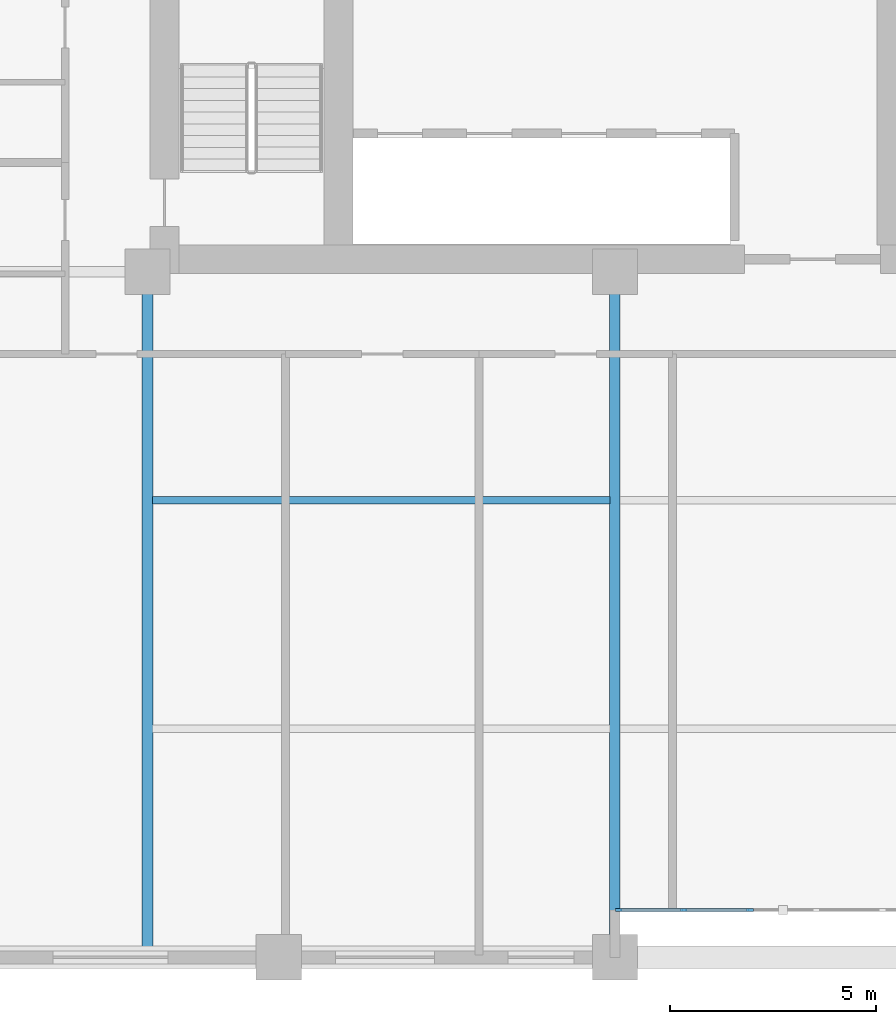
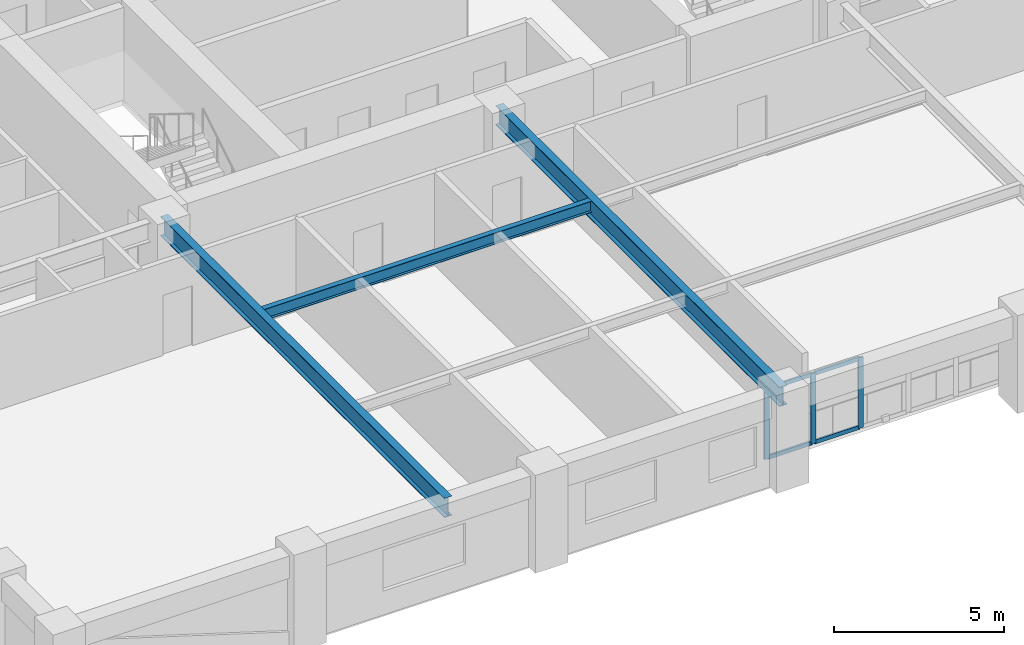
# One storey, part 2 of 13: 7 members, 3 beams, 1 element without a shape of its own.
"""IFC4 building model written with IfcOpenShell, lengths in metres."""

from ifc_helpers import new_model, si_unit, direction, frame, origin, origin_2d, place, context, subcontext, project, spatial, rectangle, i_section, extrude, material, layer, layer_set, material_profile, profile_set, type_object, element, aggregate, save


model = new_model("IFC4")

# Units and contexts
model_context = context("Model", 3, precision=1e-05, world=origin(), true_north=direction((0.0, 1.0)))
body_context = subcontext(model_context, "Body", "Model", "MODEL_VIEW")
ifc_project = project(units=[si_unit("LENGTHUNIT", "METRE"), si_unit("AREAUNIT", "SQUARE_METRE"), si_unit("VOLUMEUNIT", "CUBIC_METRE"), si_unit("PLANEANGLEUNIT", "RADIAN"), si_unit("MASSUNIT", "GRAM", prefix="KILO")], contexts=[model_context])

# Site, building, storey
site_placement = place(None, origin())
site = spatial("IfcSite", under=ifc_project, at=site_placement, CompositionType="ELEMENT")
building_placement = place(site_placement, origin())
building = spatial("IfcBuilding", under=site, at=building_placement, Name="Nhamokura Convention Tower", CompositionType="ELEMENT")
storey_placement = place(building_placement, frame((0.0, 0.0, 63.35009765625)))
storey = spatial("IfcBuildingStorey", under=building, at=storey_placement, Name="L14", CompositionType="ELEMENT", Elevation=63.35009765625)

# Curtain wall, members
ifc_material_1 = material(Name="Anodised bronze aluminium AA6063-T6", Category="aluminium")
ifc_layer = layer(ifc_material_1, 0.1650390625)
ifc_layer_set = layer_set([ifc_layer], Name="CWSystem_ScaleSlot_Zone1")
curtain_wall_type = type_object("IfcCurtainWallType", Name="CWSystem_ScaleSlot_Zone1", PredefinedType="NOTDEFINED", material=ifc_layer_set)
curtain_wall_placement = place(storey_placement, origin())
curtain_wall = element("IfcCurtainWall", 1, at=curtain_wall_placement, inside=storey, type_object=curtain_wall_type, Name="L14 Curtain Wall ENV-L14-SLOT-S3", PredefinedType="NOTDEFINED")
ifc_material_2 = material(Name="Anodised bronze aluminium AA6063-T6", Category="aluminium")
ifc_material_profile_1 = material_profile(ifc_material_2, rectangle(XDim=0.06494140625, YDim=0.1650390625, at=origin_2d()))
ifc_profile_set_1 = profile_set([ifc_material_profile_1], Name="Anodised bronze aluminium AA6063-T6")
member_type_1 = type_object("IfcMemberType", Name="CWMullion_3", PredefinedType="MULLION", material=ifc_profile_set_1)
member_1_placement = place(storey_placement, frame((35.278564453125, 5.14990234375, 0.0), z_axis=(0.0, 0.0, 1.0), x_axis=(0.0, -1.0, 0.0)))
member_1 = element("IfcMember", 2, at=member_1_placement, type_object=member_type_1, Name="CW-03 mullion 4", PredefinedType="MULLION", context=body_context, shape_type="SweptSolid", body=[
    extrude(rectangle(XDim=0.06494140625, YDim=0.1650390625, at=origin_2d()), origin(), (0.0, 0.0, 1.0), 2.52001953125),
])
member_2_placement = place(storey_placement, frame((33.66943359375, 5.14990234375, 0.0), z_axis=(0.0, 0.0, 1.0), x_axis=(0.0, -1.0, 0.0)))
member_2 = element("IfcMember", 3, at=member_2_placement, type_object=member_type_1, Name="CW-03 mullion 5", PredefinedType="MULLION", context=body_context, shape_type="SweptSolid", body=[
    extrude(rectangle(XDim=0.06494140625, YDim=0.1650390625, at=origin_2d()), origin(), (0.0, 0.0, 1.0), 2.52001953125),
])
member_3_placement = place(storey_placement, frame((32.092529296875, 5.14990234375, 0.0), z_axis=(0.0, 0.0, 1.0), x_axis=(0.0, -1.0, 0.0)))
member_3 = element("IfcMember", 4, at=member_3_placement, type_object=member_type_1, Name="CW-03 mullion 6", PredefinedType="MULLION", context=body_context, shape_type="SweptSolid", body=[
    extrude(rectangle(XDim=0.06494140625, YDim=0.1650390625, at=origin_2d()), origin(), (0.0, 0.0, 1.0), 2.52001953125),
])
ifc_material_3 = material(Name="Anodised bronze aluminium AA6063-T6", Category="aluminium")
ifc_material_profile_2 = material_profile(ifc_material_3, rectangle(XDim=0.06494140625, YDim=0.139892578125, at=origin_2d()))
ifc_profile_set_2 = profile_set([ifc_material_profile_2], Name="Anodised bronze aluminium AA6063-T6")
member_type_2 = type_object("IfcMemberType", Name="CWTransom_3", PredefinedType="USERDEFINED", material=ifc_profile_set_2)
member_4_placement = place(storey_placement, frame((35.24609375, 5.14990234375, 0.032470703125), z_axis=(-1.0, 0.0, 0.0), x_axis=(0.0, -1.0, 0.0)))
member_4 = element("IfcMember", 5, at=member_4_placement, type_object=member_type_2, Name="CW-03 transom 4.1", ObjectType="TRANSOM", PredefinedType="USERDEFINED", context=body_context, shape_type="SweptSolid", body=[
    extrude(rectangle(XDim=0.06494140625, YDim=0.139892578125, at=origin_2d()), origin(), (0.0, 0.0, 1.0), 1.544189453125),
])
member_5_placement = place(storey_placement, frame((35.24609375, 5.14990234375, 2.4873046875), z_axis=(-1.0, 0.0, 0.0), x_axis=(0.0, -1.0, 0.0)))
member_5 = element("IfcMember", 6, at=member_5_placement, type_object=member_type_2, Name="CW-03 transom 4.2", ObjectType="TRANSOM", PredefinedType="USERDEFINED", context=body_context, shape_type="SweptSolid", body=[
    extrude(rectangle(XDim=0.06494140625, YDim=0.139892578125, at=origin_2d()), origin(), (0.0, 0.0, 1.0), 1.544189453125),
])
member_6_placement = place(storey_placement, frame((33.63671875, 5.14990234375, 0.032470703125), z_axis=(-1.0, 0.0, 0.0), x_axis=(0.0, -1.0, 0.0)))
member_6 = element("IfcMember", 7, at=member_6_placement, type_object=member_type_2, Name="CW-03 transom 5.1", ObjectType="TRANSOM", PredefinedType="USERDEFINED", context=body_context, shape_type="SweptSolid", body=[
    extrude(rectangle(XDim=0.06494140625, YDim=0.139892578125, at=origin_2d()), origin(), (0.0, 0.0, 1.0), 1.51171875),
])
member_7_placement = place(storey_placement, frame((33.63671875, 5.14990234375, 2.4873046875), z_axis=(-1.0, 0.0, 0.0), x_axis=(0.0, -1.0, 0.0)))
member_7 = element("IfcMember", 8, at=member_7_placement, type_object=member_type_2, Name="CW-03 transom 5.2", ObjectType="TRANSOM", PredefinedType="USERDEFINED", context=body_context, shape_type="SweptSolid", body=[
    extrude(rectangle(XDim=0.06494140625, YDim=0.139892578125, at=origin_2d()), origin(), (0.0, 0.0, 1.0), 1.51171875),
])
aggregate(curtain_wall, [member_1, member_2, member_3, member_4, member_5, member_6, member_7])

# Beams
ifc_material_4 = material(Name="Steel ASTM A992 Gr 50", Category="steel")
ifc_material_profile_3 = material_profile(ifc_material_4, i_section(OverallWidth=0.178955078125, OverallDepth=0.409912109375, WebThickness=0.0087890625, FlangeThickness=0.014404296875, at=origin_2d()))
ifc_profile_set_3 = profile_set([ifc_material_profile_3], Name="Steel ASTM A992 Gr 50")
beam_type_1 = type_object("IfcBeamType", Name="FloorJoist_W410X67", PredefinedType="JOIST", material=ifc_profile_set_3)
beam_placement = place(storey_placement, frame((20.77587890625, 15.10009765625, 3.114990234375), z_axis=(1.0, 0.0, 0.0), x_axis=(0.0, 1.0, 0.0)))
element("IfcBeam", 9, at=beam_placement, inside=storey, type_object=beam_type_1, Name="L14 Composite Floor Joist S2A", PredefinedType="JOIST", context=body_context, shape_type="SweptSolid", body=[
    extrude(i_section(OverallWidth=0.178955078125, OverallDepth=0.409912109375, WebThickness=0.0087890625, FlangeThickness=0.014404296875, at=origin_2d()), origin(), (0.0, 0.0, 1.0), 11.09814453125),
])
ifc_material_5 = material(Name="Steel ASTM A992 Gr 50", Category="steel")
ifc_material_profile_4 = material_profile(ifc_material_5, i_section(OverallWidth=0.256103515625, OverallDepth=0.693115234375, WebThickness=0.014404296875, FlangeThickness=0.023681640625, at=origin_2d()))
ifc_profile_set_4 = profile_set([ifc_material_profile_4], Name="Steel ASTM A992 Gr 50")
beam_type_2 = type_object("IfcBeamType", Name="PrimaryGirder_W690X170", PredefinedType="BEAM", material=ifc_profile_set_4)
for number, where, z_axis, x_axis, name in (
    (10, (20.64990234375, 4.0, 2.973388671875), (0.0, 1.0, 0.0), (-1.0, 0.0, 0.0), "L14 Primary Floor Girder PG-S1"),
    (11, (32.0, 4.0, 2.973388671875), (0.0, 1.0, 0.0), (-1.0, 0.0, 0.0), "L14 Primary Floor Girder PG-S2"),
):
    element("IfcBeam", number, at=place(storey_placement, frame(where, z_axis=z_axis, x_axis=x_axis)), inside=storey, type_object=beam_type_2, Name=name, PredefinedType="BEAM", context=body_context, shape_type="SweptSolid", body=[
        extrude(i_section(OverallWidth=0.256103515625, OverallDepth=0.693115234375, WebThickness=0.014404296875, FlangeThickness=0.023681640625, at=origin_2d()), origin(), (0.0, 0.0, 1.0), 16.64990234375),
    ])

save(model, "model.ifc")
